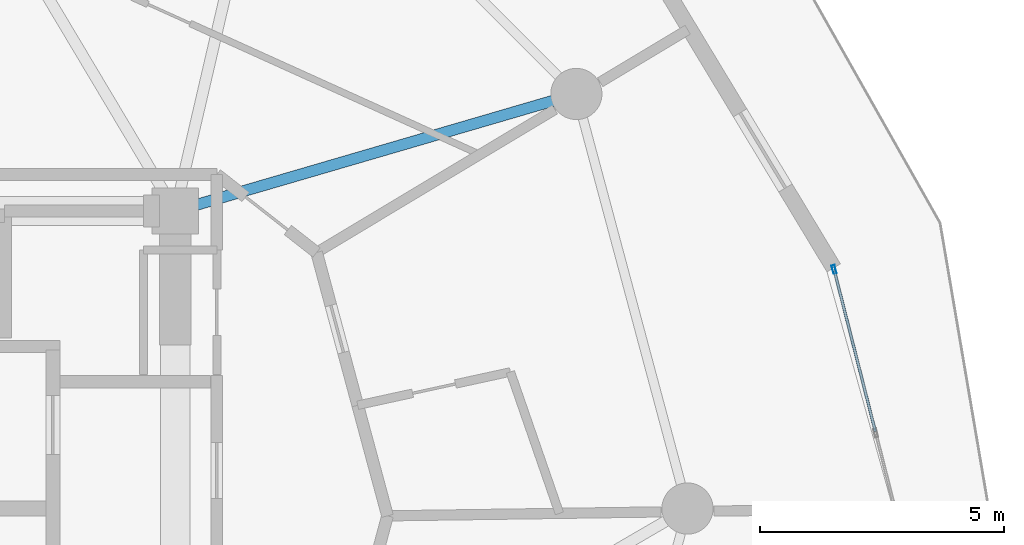
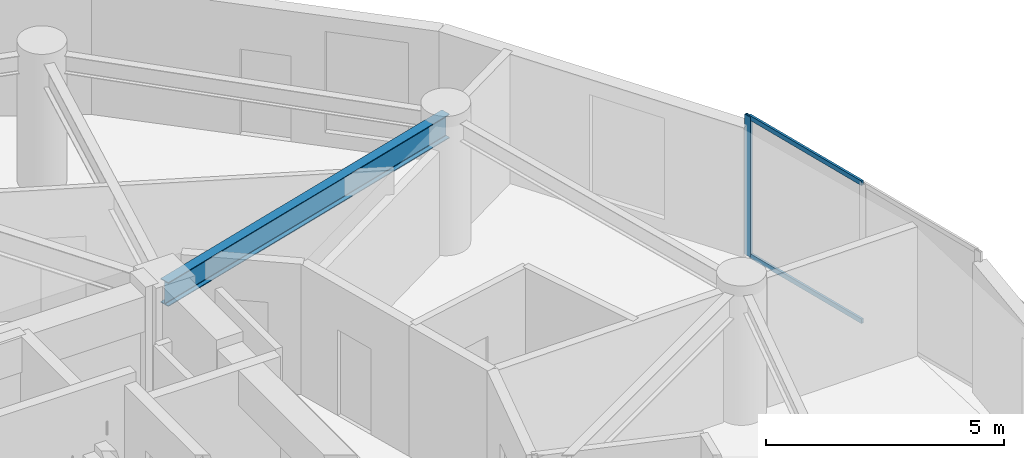
# One storey, part 14 of 25: 3 members, 1 beam, 1 element without a shape of its own.
"""IFC4 building model written with IfcOpenShell, lengths in metres."""

from ifc_helpers import new_model, si_unit, direction, frame, origin, origin_2d, place, context, subcontext, project, spatial, hollow_rectangle, i_section, extrude, source, transform, mapped, material, layer, layer_set, material_profile, profile_set, type_object, element, aggregate, save


model = new_model("IFC4")

# Units and contexts
model_context = context("Model", 3, precision=1e-05, world=origin(), true_north=direction((0.0, 1.0)))
body_context = subcontext(model_context, "Body", "Model", "MODEL_VIEW")
ifc_project = project(units=[si_unit("LENGTHUNIT", "METRE"), si_unit("AREAUNIT", "SQUARE_METRE"), si_unit("VOLUMEUNIT", "CUBIC_METRE"), si_unit("PLANEANGLEUNIT", "RADIAN"), si_unit("MASSUNIT", "GRAM", prefix="KILO")], contexts=[model_context])

# Site, building, storey
site_placement = place(None, origin())
site = spatial("IfcSite", under=ifc_project, at=site_placement, CompositionType="ELEMENT")
building_placement = place(site_placement, origin())
building = spatial("IfcBuilding", under=site, at=building_placement, Name="Solvirekh Grand Hotel", CompositionType="ELEMENT")
storey_placement = place(building_placement, frame((0.0, 0.0, 120.60009765625)))
storey = spatial("IfcBuildingStorey", under=building, at=storey_placement, Name="L30", CompositionType="ELEMENT", Elevation=120.60009765625)

# Beam
ifc_material_1 = material(Name="Steel S355", Category="steel")
ifc_material_profile_1 = material_profile(ifc_material_1, i_section(OverallWidth=0.22802734375, OverallDepth=0.616943359375, WebThickness=0.012939453125, FlangeThickness=0.02001953125, FilletRadius=0.014892578125, at=origin_2d()), Name="W610X140")
ifc_profile_set_1 = profile_set([ifc_material_profile_1], Name="Steel S355")
beam_type = type_object("IfcBeamType", Name="Beam_Radial_W610", PredefinedType="BEAM", material=ifc_profile_set_1)
beam_placement = place(storey_placement, frame((6.5, 6.10009765625, 3.0419921875), z_axis=(0.959942195467, 0.28019811092, 0.0), x_axis=(-0.28019811092, 0.959942195467, 0.0)))
element("IfcBeam", 1, at=beam_placement, inside=storey, type_object=beam_type, Name="L30 radial floor beam R02", PredefinedType="BEAM", context=body_context, shape_type="SweptSolid", body=[
    extrude(i_section(OverallWidth=0.22802734375, OverallDepth=0.616943359375, WebThickness=0.012939453125, FlangeThickness=0.02001953125, FilletRadius=0.014892578125, at=origin_2d()), origin(), (0.0, 0.0, 1.0), 8.56494140625),
])

# Curtain wall, members
ifc_material_2 = material(Name="Anodized Bronze Aluminium 6063-T6", Category="aluminium")
ifc_layer = layer(ifc_material_2, 0.175048828125)
ifc_layer_set = layer_set([ifc_layer], Name="Anodized Bronze Aluminium 6063-T6")
curtain_wall_type = type_object("IfcCurtainWallType", Name="CW_Sys3_MidZoneFlushBronzeCW", PredefinedType="NOTDEFINED", material=ifc_layer_set)
curtain_wall_placement = place(storey_placement, origin())
curtain_wall = element("IfcCurtainWall", 2, at=curtain_wall_placement, inside=storey, type_object=curtain_wall_type, Name="L30 unitised bronze-glass curtain wall CW-L30-C03", PredefinedType="NOTDEFINED")
ifc_material_profile_2 = material_profile(ifc_material_2, hollow_rectangle(XDim=0.06494140625, YDim=0.175048828125, WallThickness=0.0048828125, at=origin_2d()), Name="ALU RHS 175X65X5")
ifc_profile_set_2 = profile_set([ifc_material_profile_2], Name="Anodized Bronze Aluminium 6063-T6")
member_type_1 = type_object("IfcMemberType", Name="CWMullion_Sys3", PredefinedType="MULLION", material=ifc_profile_set_2)
shared_shape_1 = source(origin(), body_context, "Body", "SweptSolid", [
    extrude(hollow_rectangle(XDim=0.06494140625, YDim=0.175048828125, WallThickness=0.0048828125, at=origin_2d()), origin(), (0.0, 0.0, 1.0), 3.599853515625),
])
member_1_placement = place(storey_placement, frame((20.005126953125, 4.903564453125, 0.0), z_axis=(0.0, 0.0, 1.0), x_axis=(-0.969029976997, -0.24694311831, 0.0)))
member_1 = element("IfcMember", 3, at=member_1_placement, type_object=member_type_1, Name="U03 mullion 3", PredefinedType="MULLION", context=body_context, shape_type="MappedRepresentation", body=[
    mapped(shared_shape_1, transform((0.0, 0.0, 0.0), x_axis=(1.0, 0.0, 0.0), y_axis=(0.0, 1.0, 0.0), z_axis=(0.0, 0.0, 1.0), scale=1.0)),
])
ifc_material_profile_3 = material_profile(ifc_material_2, hollow_rectangle(XDim=0.054931640625, YDim=0.1201171875, WallThickness=0.00390625, at=origin_2d()), Name="ALU RHS 120X55X4")
ifc_profile_set_3 = profile_set([ifc_material_profile_3], Name="Anodized Bronze Aluminium 6063-T6")
member_type_2 = type_object("IfcMemberType", Name="CWTransom_Sys3", PredefinedType="USERDEFINED", material=ifc_profile_set_3)
shared_shape_2 = source(origin(), body_context, "Body", "SweptSolid", [
    extrude(hollow_rectangle(XDim=0.054931640625, YDim=0.1201171875, WallThickness=0.00390625, at=origin_2d()), origin(), (0.0, 0.0, 1.0), 3.397216796875),
])
member_2_placement = place(storey_placement, frame((20.85205078125, 1.580078125, 0.02734375), z_axis=(-0.246997089425, 0.969016221647, 0.0), x_axis=(-0.969016221647, -0.246997089425, 0.0)))
member_2 = element("IfcMember", 4, at=member_2_placement, type_object=member_type_2, Name="U03 transom 2.1", ObjectType="TRANSOM", PredefinedType="USERDEFINED", context=body_context, shape_type="MappedRepresentation", body=[
    mapped(shared_shape_2, transform((0.0, 0.0, 0.0), x_axis=(1.0, 0.0, 0.0), y_axis=(0.0, 1.0, 0.0), z_axis=(0.0, 0.0, 1.0), scale=1.0)),
])
member_3_placement = place(storey_placement, frame((20.85205078125, 1.580078125, 3.572509765625), z_axis=(-0.246997089425, 0.969016221647, 0.0), x_axis=(-0.969016221647, -0.246997089425, 0.0)))
member_3 = element("IfcMember", 5, at=member_3_placement, type_object=member_type_2, Name="U03 transom 2.2", ObjectType="TRANSOM", PredefinedType="USERDEFINED", context=body_context, shape_type="MappedRepresentation", body=[
    mapped(shared_shape_2, transform((0.0, 0.0, 0.0), x_axis=(1.0, 0.0, 0.0), y_axis=(0.0, 1.0, 0.0), z_axis=(0.0, 0.0, 1.0), scale=1.0)),
])
aggregate(curtain_wall, [member_1, member_2, member_3])

save(model, "model.ifc")
